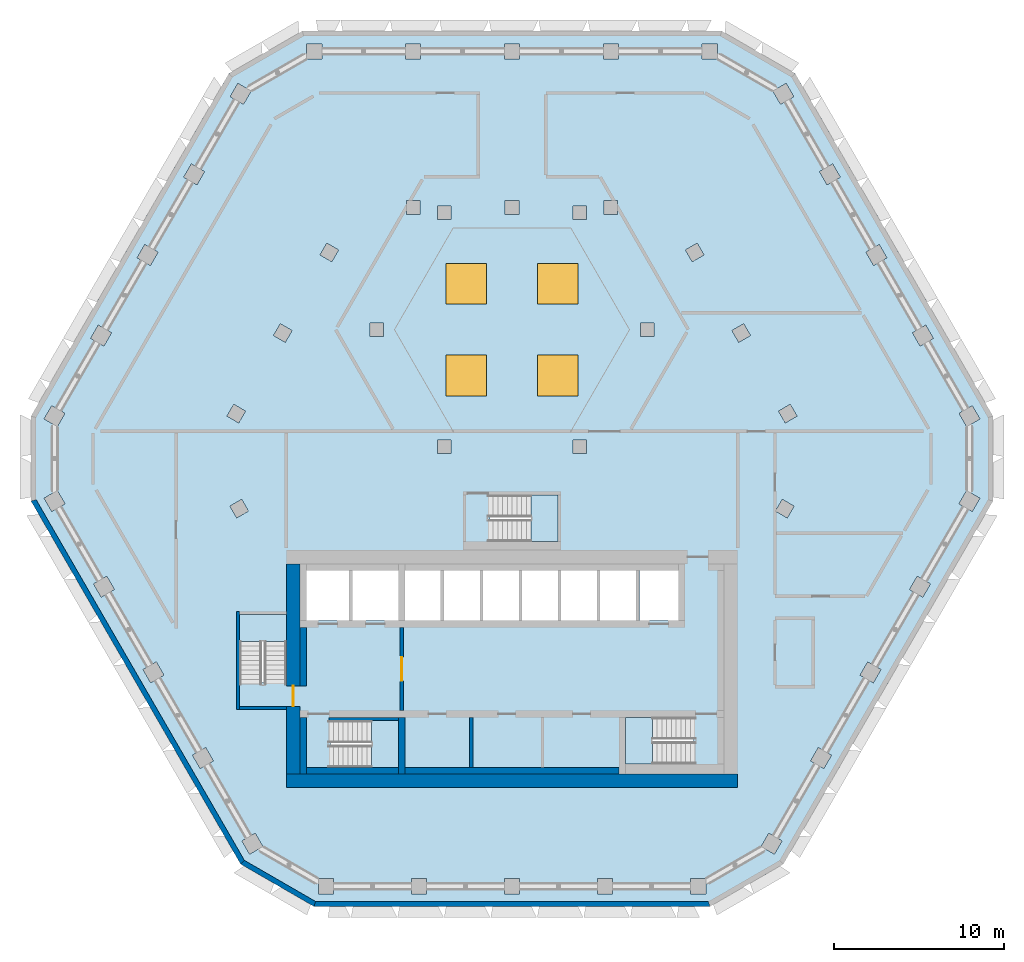
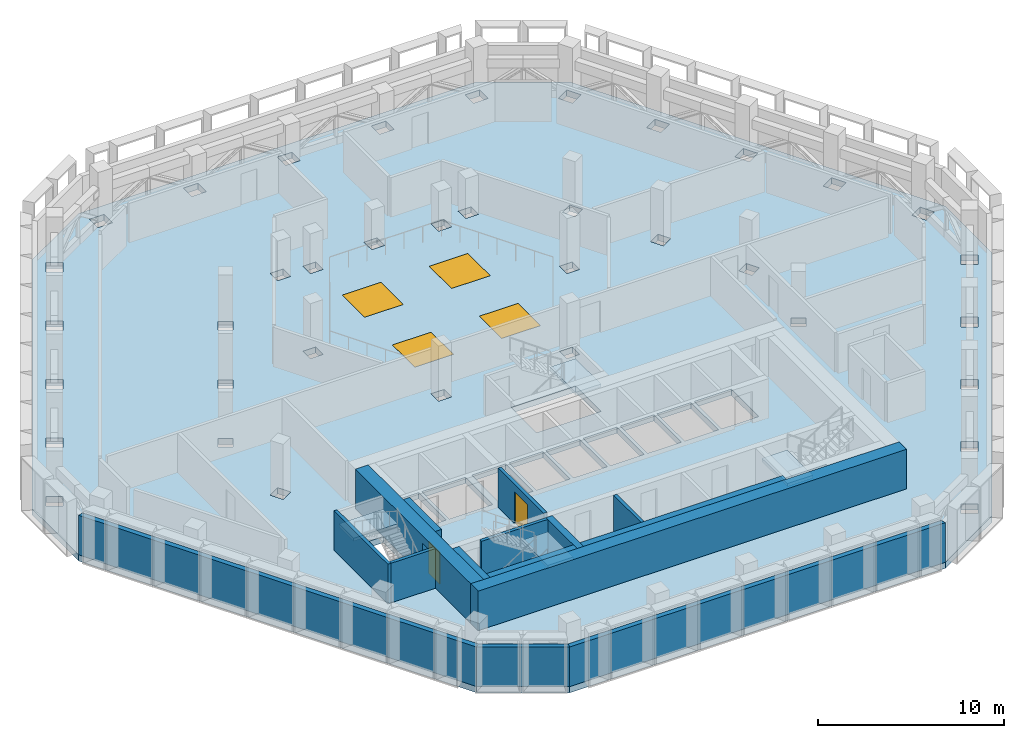
# One storey, part 11 of 22: 15 walls, 5 slabs, 4 windows, 2 doors, 6 openings, 4 elements without a shape of their own.
"""IFC4 building model written with IfcOpenShell, lengths in metres."""

import ifcopenshell
import ifcopenshell.guid

model = None  # the IFC model being written
_history = None  # IfcOwnerHistory: only IFC2X3 demands one
_inside = {}  # id of a spatial element -> (the spatial element, [elements in it])
_under = {}  # id of a project, library or spatial element -> (it, [spatial elements below it])
_declared = {}  # id of a project -> (the project, [libraries it declares])
_typed = {}  # id of a type object -> (the type object, [elements of that type])
_made_of = {}  # id of a material, layer set ... -> (it, [elements and type objects made of it])


def new_model(schema):
    """Start an empty IFC model of exactly this schema.

    Asked for "IFC4X3", IfcOpenShell would pick the latest addendum, in which some entities
    have other attributes; the version numbers below select the first issue.
    IFC2X3 requires an IfcOwnerHistory on every rooted entity: one is made here for all.
    """
    global model, _history
    if schema == "IFC4X3":
        model = ifcopenshell.file(schema_version=(4, 3, 0, 0))
    else:
        model = ifcopenshell.file(schema=schema)
    _inside.clear()
    _under.clear()
    _declared.clear()
    _typed.clear()
    _made_of.clear()
    _history = None
    if model.schema == "IFC2X3":
        org = make("IfcOrganization", Name="unknown")
        user = make(
            "IfcPersonAndOrganization",
            ThePerson=make("IfcPerson", FamilyName="unknown"),
            TheOrganization=org,
        )
        app = make(
            "IfcApplication",
            ApplicationDeveloper=org,
            Version="unknown",
            ApplicationFullName="unknown",
            ApplicationIdentifier="unknown",
        )
        _history = make(
            "IfcOwnerHistory",
            OwningUser=user,
            OwningApplication=app,
            ChangeAction="ADDED",
            CreationDate=0,
        )
    return model


def make(cls, **values):
    """One entity of the class cls with the attributes given. An attribute that is None is left unset."""
    return model.create_entity(
        cls, **{name: value for name, value in values.items() if value is not None}
    )


def rooted(cls, **values):
    """An entity with a GlobalId (a new one), such as an element, a storey or a relation."""
    return make(cls, GlobalId=ifcopenshell.guid.new(), OwnerHistory=_history, **values)


def si_unit(unit_type, name, prefix=None):
    """IfcSIUnit, for example si_unit("LENGTHUNIT", "METRE", prefix="MILLI")."""
    return make("IfcSIUnit", UnitType=unit_type, Prefix=prefix, Name=name)


def assignment(units):
    """IfcUnitAssignment: the units of a project."""
    return None if units is None else make("IfcUnitAssignment", Units=units)


def point(xyz):
    """IfcCartesianPoint."""
    return None if xyz is None else make("IfcCartesianPoint", Coordinates=xyz)


def direction(xyz):
    """IfcDirection."""
    return None if xyz is None else make("IfcDirection", DirectionRatios=xyz)


def frame(location, z_axis=None, x_axis=None):
    """IfcAxis2Placement3D, a coordinate frame: its origin and axes. An axis left out is left unset."""
    return make(
        "IfcAxis2Placement3D",
        Location=point(location),
        Axis=direction(z_axis),
        RefDirection=direction(x_axis),
    )


def frame_2d(location, x_axis=None):
    """IfcAxis2Placement2D, a coordinate frame in the plane: its origin and x axis."""
    return make(
        "IfcAxis2Placement2D", Location=point(location), RefDirection=direction(x_axis)
    )


def origin():
    """The frame at (0, 0, 0) with its axes left unset."""
    return frame((0.0, 0.0, 0.0))


def origin_2d():
    """The frame at (0, 0) in the plane with its x axis left unset."""
    return frame_2d((0.0, 0.0))


def place(relative_to, where):
    """IfcLocalPlacement: puts the frame where relative to a parent placement (None: the world)."""
    return make(
        "IfcLocalPlacement", PlacementRelTo=relative_to, RelativePlacement=where
    )


def context(
    kind, dimensions, precision=None, world=None, true_north=None, identifier=None
):
    """IfcGeometricRepresentationContext, for example the 3D "Model" context."""
    return make(
        "IfcGeometricRepresentationContext",
        ContextIdentifier=identifier,
        ContextType=kind,
        CoordinateSpaceDimension=dimensions,
        Precision=precision,
        WorldCoordinateSystem=world,
        TrueNorth=true_north,
    )


def subcontext(parent, identifier, kind, view, scale=None):
    """IfcGeometricRepresentationSubContext, for example "Body" below "Model"."""
    return make(
        "IfcGeometricRepresentationSubContext",
        ContextIdentifier=identifier,
        ContextType=kind,
        ParentContext=parent,
        TargetScale=scale,
        TargetView=view,
    )


def project(units=None, contexts=None):
    """IfcProject with its units and contexts."""
    return rooted(
        "IfcProject",
        Name="project",
        RepresentationContexts=contexts,
        UnitsInContext=assignment(units),
    )


def spatial(cls, under=None, at=None, **own):
    """A site, building, storey or space (cls), placed at a placement, below another one or the project."""
    s = rooted(cls, ObjectPlacement=at, **own)
    if under is not None:
        _under.setdefault(under.id(), (under, []))[1].append(s)
    return s


def polyline(points):
    """IfcPolyline through the points."""
    return make("IfcPolyline", Points=[point(p) for p in points])


def profile(cls, at=None, kind="AREA", **sizes):
    """A parametric profile (cls). Its sizes go by their IFC names, for example OverallWidth=200.0."""
    return make(cls, ProfileType=kind, Position=at, **sizes)


def rectangle(**sizes):
    """IfcRectangleProfileDef."""
    return profile("IfcRectangleProfileDef", **sizes)


def outline(outer, holes=None, kind="AREA"):
    """IfcArbitraryClosedProfileDef: a profile drawn as a closed curve; with holes, ...WithVoids."""
    if holes is None:
        return make("IfcArbitraryClosedProfileDef", ProfileType=kind, OuterCurve=outer)
    return make(
        "IfcArbitraryProfileDefWithVoids",
        ProfileType=kind,
        OuterCurve=outer,
        InnerCurves=holes,
    )


def extrude(swept, where, along, depth):
    """IfcExtrudedAreaSolid: the profile swept, set in the frame where, extruded along a direction by depth."""
    return make(
        "IfcExtrudedAreaSolid",
        SweptArea=swept,
        Position=where,
        ExtrudedDirection=direction(along),
        Depth=depth,
    )


def shape(context_of_items, identifier, shape_type, items):
    """IfcShapeRepresentation: the items that make up one representation, for example the "Body"."""
    return make(
        "IfcShapeRepresentation",
        ContextOfItems=context_of_items,
        RepresentationIdentifier=identifier,
        RepresentationType=shape_type,
        Items=items,
    )


def material(Name=None, Category=None):
    """IfcMaterial."""
    return make("IfcMaterial", Name=Name, Category=Category)


def layer(
    of_material, thickness, ventilated=None, Name=None, Category=None, Priority=None
):
    """IfcMaterialLayer: one layer of a wall or slab, of a material (None: an air gap)."""
    return make(
        "IfcMaterialLayer",
        Material=of_material,
        LayerThickness=thickness,
        IsVentilated=ventilated,
        Name=Name,
        Category=Category,
        Priority=Priority,
    )


def layer_set(layers, Name=None):
    """IfcMaterialLayerSet."""
    return make("IfcMaterialLayerSet", MaterialLayers=layers, LayerSetName=Name)


def made_of(thing, what):
    """Note that an element or type object is made of a material, layer set ...; save() writes the relation."""
    if what is not None:
        _made_of.setdefault(what.id(), (what, []))[1].append(thing)
    return thing


def type_object(cls, material=None, **own):
    """A type object (cls), such as IfcWallType, which elements share."""
    return made_of(rooted(cls, **own), material)


def element(
    cls,
    number,
    at=None,
    inside=None,
    cuts=None,
    type_object=None,
    material=None,
    context=None,
    identifier="Body",
    shape_type=None,
    held_by="IfcProductDefinitionShape",
    body=None,
    shapes=None,
    **own,
):
    """One element of the class cls, such as IfcWall. Its Tag is "e" and its number.

    at: its placement. inside: the storey or other place that contains it. cuts: it is an
    opening in that element (IfcRelVoidsElement). A single representation is given by context,
    identifier, shape_type and body (its items); several are given by shapes. held_by: the class
    of the entity that holds the representations. save() writes the other relations.
    """
    e = rooted(cls, Tag="e%d" % number, ObjectPlacement=at, **own)
    if body is not None:
        shapes = [shape(context, identifier, shape_type, body)]
    if shapes is not None:
        e.Representation = make(held_by, Representations=shapes)
    if inside is not None:
        _inside.setdefault(inside.id(), (inside, []))[1].append(e)
    if cuts is not None:
        rooted(
            "IfcRelVoidsElement", RelatingBuildingElement=cuts, RelatedOpeningElement=e
        )
    if type_object is not None:
        _typed.setdefault(type_object.id(), (type_object, []))[1].append(e)
    return made_of(e, material)


def fill(opening, filler):
    """IfcRelFillsElement: the door or window that sits in an opening."""
    return rooted(
        "IfcRelFillsElement",
        RelatingOpeningElement=opening,
        RelatedBuildingElement=filler,
    )


def aggregate(whole, parts):
    """IfcRelAggregates: a whole, such as a stair, and the parts it consists of."""
    return rooted("IfcRelAggregates", RelatingObject=whole, RelatedObjects=parts)


def save(model, path):
    """Write the relations noted so far, then the file.

    IfcRelAggregates (storeys below a building ...), IfcRelContainedInSpatialStructure (elements
    in a storey), IfcRelDefinesByType, IfcRelAssociatesMaterial and IfcRelDeclares: one each for
    every whole, place, type object, material and project.
    """
    for whole, parts in _under.values():
        aggregate(whole, parts)
    for where, things in _inside.values():
        rooted(
            "IfcRelContainedInSpatialStructure",
            RelatedElements=things,
            RelatingStructure=where,
        )
    for kind, things in _typed.values():
        rooted("IfcRelDefinesByType", RelatedObjects=things, RelatingType=kind)
    for what, things in _made_of.values():
        rooted("IfcRelAssociatesMaterial", RelatedObjects=things, RelatingMaterial=what)
    for by, libraries in _declared.values():
        rooted("IfcRelDeclares", RelatingContext=by, RelatedDefinitions=libraries)
    model.write(path)


model = new_model("IFC4")

# Units and contexts
model_context = context("Model", 3, precision=1e-05, world=origin(), true_north=direction((0.0, 1.0)))
body_context = subcontext(model_context, "Body", "Model", "MODEL_VIEW")
ifc_project = project(units=[si_unit("LENGTHUNIT", "METRE"), si_unit("AREAUNIT", "SQUARE_METRE"), si_unit("VOLUMEUNIT", "CUBIC_METRE"), si_unit("PLANEANGLEUNIT", "RADIAN"), si_unit("MASSUNIT", "GRAM", prefix="KILO")], contexts=[model_context])

# Site, building, storey
site_placement = place(None, origin())
site = spatial("IfcSite", under=ifc_project, at=site_placement, CompositionType="ELEMENT")
building_placement = place(site_placement, origin())
building = spatial("IfcBuilding", under=site, at=building_placement, Name="Beryl Residences", CompositionType="ELEMENT")
storey_placement = place(building_placement, frame((0.0, 0.0, 153.60009765625)))
storey = spatial("IfcBuildingStorey", under=building, at=storey_placement, Name="L47", CompositionType="ELEMENT", Elevation=153.60009765625)

# Slab, openings, windows
ifc_material_1 = material(Name="Concrete C40/50", Category="concrete")
ifc_layer_1 = layer(ifc_material_1, 0.39990234375)
ifc_layer_set_1 = layer_set([ifc_layer_1], Name="SL8 PT floor slab 400 mm C40/50")
slab_type_1 = type_object("IfcSlabType", Name="SL8 PT floor slab 400 mm C40/50", PredefinedType="FLOOR", material=ifc_layer_set_1)
slab_1_placement = place(storey_placement, frame((0.0, 0.0, -0.400146484375)))
slab_1 = element("IfcSlab", 1, at=slab_1_placement, inside=storey, type_object=slab_type_1, Name="L47 slab 1", PredefinedType="FLOOR", context=body_context, shape_type="SweptSolid", body=[
    extrude(outline(polyline([(28.347900390625, 2.89990234375), (28.347900390625, -2.10009765625), (15.991943359375, -23.5), (11.662109375, -26.0), (-11.662109375, -26.0), (-15.991943359375, -23.5), (-28.347900390625, -2.10009765625), (-28.347900390625, 2.89990234375), (-16.68505859375, 23.10009765625), (-12.35498046875, 25.60009765625), (12.35498046875, 25.60009765625), (16.68505859375, 23.10009765625), (28.347900390625, 2.89990234375)]), holes=[polyline([(27.577880859375, 2.735107421875), (27.1279296875, 3.514892578125), (26.347900390625, 3.06494140625), (26.798095703125, 2.284912109375), (27.577880859375, 2.735107421875)]), polyline([(27.575927734375, -1.93603515625), (26.7958984375, -1.486083984375), (26.345947265625, -2.26611328125), (27.1259765625, -2.716064453125), (27.575927734375, -1.93603515625)]), polyline([(24.385009765625, 8.264892578125), (23.60498046875, 7.81494140625), (24.054931640625, 7.034912109375), (24.8349609375, 7.485107421875), (24.385009765625, 8.264892578125)]), polyline([(24.2109375, -7.76611328125), (24.660888671875, -6.986083984375), (23.881103515625, -6.535888671875), (23.430908203125, -7.31591796875), (24.2109375, -7.76611328125)]), polyline([(22.093017578125, 12.235107421875), (21.64306640625, 13.014892578125), (20.863037109375, 12.56494140625), (21.31298828125, 11.784912109375), (22.093017578125, 12.235107421875)]), polyline([(21.7451171875, -12.035888671875), (20.965087890625, -11.5859375), (20.514892578125, -12.365966796875), (21.294921875, -12.81591796875), (21.7451171875, -12.035888671875)]), polyline([(18.89990234375, 17.764892578125), (18.1201171875, 17.31494140625), (18.570068359375, 16.534912109375), (19.35009765625, 16.985107421875), (18.89990234375, 17.764892578125)]), polyline([(18.3798828125, -17.865966796875), (18.830078125, -17.0859375), (18.050048828125, -16.635986328125), (17.60009765625, -17.416015625), (18.3798828125, -17.865966796875)]), polyline([(16.799072265625, 2.904052734375), (16.39892578125, 3.595947265625), (15.70703125, 3.196044921875), (16.10693359375, 2.50390625), (16.799072265625, 2.904052734375)]), polyline([(16.22412109375, -3.096923828125), (16.6240234375, -2.405029296875), (15.931884765625, -2.0048828125), (15.531982421875, -2.697021484375), (16.22412109375, -3.096923828125)]), polyline([(16.60791015625, 21.735107421875), (16.157958984375, 22.514892578125), (15.3779296875, 22.06494140625), (15.827880859375, 21.284912109375), (16.60791015625, 21.735107421875)]), polyline([(15.464111328125, -22.9150390625), (15.9140625, -22.135009765625), (15.134033203125, -21.68505859375), (14.68408203125, -22.465087890625), (15.464111328125, -22.9150390625)]), polyline([(14.055908203125, 7.654052734375), (13.656005859375, 8.345947265625), (12.964111328125, 7.946044921875), (13.364013671875, 7.25390625), (14.055908203125, 7.654052734375)]), polyline([(12.112060546875, 24.85009765625), (11.2119140625, 24.85009765625), (11.2119140625, 23.949951171875), (12.112060546875, 23.949951171875), (12.112060546875, 24.85009765625)]), polyline([(11.4208984375, -25.25), (11.4208984375, -24.35009765625), (10.52099609375, -24.35009765625), (10.52099609375, -25.25), (11.4208984375, -25.25)]), polyline([(10.9140625, 13.095947265625), (10.221923828125, 12.696044921875), (10.6220703125, 12.00390625), (11.31396484375, 12.404052734375), (10.9140625, 13.095947265625)]), polyline([(10.699951171875, -14.85009765625), (6.699951171875, -14.85009765625), (6.699951171875, -17.60009765625), (10.699951171875, -17.60009765625), (10.699951171875, -14.85009765625)]), polyline([(7.5, -6.199951171875), (7.5, -9.14990234375), (9.800048828125, -9.14990234375), (9.800048828125, -6.199951171875), (7.5, -6.199951171875)]), polyline([(7.56689453125, 7.60009765625), (8.366943359375, 7.60009765625), (8.366943359375, 8.39990234375), (7.56689453125, 8.39990234375), (7.56689453125, 7.60009765625)]), polyline([(5.199951171875, -9.14990234375), (7.300048828125, -9.14990234375), (7.300048828125, -6.199951171875), (5.199951171875, -6.199951171875), (5.199951171875, -9.14990234375)]), polyline([(6.281005859375, 24.85009765625), (5.381103515625, 24.85009765625), (5.381103515625, 23.949951171875), (6.281005859375, 23.949951171875), (6.281005859375, 24.85009765625)]), polyline([(6.23095703125, 15.60009765625), (5.430908203125, 15.60009765625), (5.430908203125, 14.800048828125), (6.23095703125, 14.800048828125), (6.23095703125, 15.60009765625)]), polyline([(5.035888671875, -25.25), (5.93603515625, -25.25), (5.93603515625, -24.35009765625), (5.035888671875, -24.35009765625), (5.035888671875, -25.25)]), polyline([(2.89990234375, -6.199951171875), (2.89990234375, -9.14990234375), (5.0, -9.14990234375), (5.0, -6.199951171875), (2.89990234375, -6.199951171875)]), polyline([(4.384033203125, 1.5), (3.583984375, 1.5), (3.583984375, 0.699951171875), (4.384033203125, 0.699951171875), (4.384033203125, 1.5)]), polyline([(3.583984375, 14.5), (4.384033203125, 14.5), (4.384033203125, 15.300048828125), (3.583984375, 15.300048828125), (3.583984375, 14.5)]), polyline([(-1.300048828125, -4.5), (2.699951171875, -4.5), (2.699951171875, -1.75), (-1.300048828125, -1.75), (-1.300048828125, -4.5)]), polyline([(0.60009765625, -6.199951171875), (0.60009765625, -9.14990234375), (2.699951171875, -9.14990234375), (2.699951171875, -6.199951171875), (0.60009765625, -6.199951171875)]), polyline([(0.450927734375, -25.25), (0.450927734375, -24.35009765625), (-0.448974609375, -24.35009765625), (-0.448974609375, -25.25), (0.450927734375, -25.25)]), polyline([(0.449951171875, 24.85009765625), (-0.449951171875, 24.85009765625), (-0.449951171875, 23.949951171875), (0.449951171875, 23.949951171875), (0.449951171875, 24.85009765625)]), polyline([(0.39990234375, 15.60009765625), (-0.39990234375, 15.60009765625), (-0.39990234375, 14.800048828125), (0.39990234375, 14.800048828125), (0.39990234375, 15.60009765625)]), polyline([(0.39990234375, -9.14990234375), (0.39990234375, -6.199951171875), (-1.699951171875, -6.199951171875), (-1.699951171875, -9.14990234375), (0.39990234375, -9.14990234375)]), polyline([(-4.0, -6.199951171875), (-4.0, -9.14990234375), (-1.89990234375, -9.14990234375), (-1.89990234375, -6.199951171875), (-4.0, -6.199951171875)]), polyline([(-4.384033203125, 14.5), (-3.583984375, 14.5), (-3.583984375, 15.300048828125), (-4.384033203125, 15.300048828125), (-4.384033203125, 14.5)]), polyline([(-4.384033203125, 0.699951171875), (-3.583984375, 0.699951171875), (-3.583984375, 1.5), (-4.384033203125, 1.5), (-4.384033203125, 0.699951171875)]), polyline([(-6.300048828125, -6.199951171875), (-6.300048828125, -9.14990234375), (-4.199951171875, -9.14990234375), (-4.199951171875, -6.199951171875), (-6.300048828125, -6.199951171875)]), polyline([(-5.93408203125, -25.25), (-5.033935546875, -25.25), (-5.033935546875, -24.35009765625), (-5.93408203125, -24.35009765625), (-5.93408203125, -25.25)]), polyline([(-6.281005859375, 24.85009765625), (-6.281005859375, 23.949951171875), (-5.381103515625, 23.949951171875), (-5.381103515625, 24.85009765625), (-6.281005859375, 24.85009765625)]), polyline([(-6.23095703125, 15.60009765625), (-6.23095703125, 14.800048828125), (-5.430908203125, 14.800048828125), (-5.430908203125, 15.60009765625), (-6.23095703125, 15.60009765625)]), polyline([(-6.699951171875, -9.14990234375), (-6.699951171875, -6.199951171875), (-9.39990234375, -6.199951171875), (-9.39990234375, -9.14990234375), (-6.699951171875, -9.14990234375)]), polyline([(-6.699951171875, -15.050048828125), (-10.699951171875, -15.050048828125), (-10.699951171875, -17.800048828125), (-6.699951171875, -17.800048828125), (-6.699951171875, -15.050048828125)]), polyline([(-8.366943359375, 7.60009765625), (-7.56689453125, 7.60009765625), (-7.56689453125, 8.39990234375), (-8.366943359375, 8.39990234375), (-8.366943359375, 7.60009765625)]), polyline([(-12.10009765625, -6.199951171875), (-12.10009765625, -9.14990234375), (-9.60009765625, -9.14990234375), (-9.60009765625, -6.199951171875), (-12.10009765625, -6.199951171875)]), polyline([(-10.9140625, 13.095947265625), (-11.31396484375, 12.404052734375), (-10.6220703125, 12.00390625), (-10.221923828125, 12.696044921875), (-10.9140625, 13.095947265625)]), polyline([(-10.51904296875, -24.35009765625), (-11.4189453125, -24.35009765625), (-11.4189453125, -25.25), (-10.51904296875, -25.25), (-10.51904296875, -24.35009765625)]), polyline([(-11.2119140625, 24.85009765625), (-12.112060546875, 24.85009765625), (-12.112060546875, 23.949951171875), (-11.2119140625, 23.949951171875), (-11.2119140625, 24.85009765625)]), polyline([(-13.656005859375, 8.345947265625), (-14.055908203125, 7.654052734375), (-13.364013671875, 7.25390625), (-12.964111328125, 7.946044921875), (-13.656005859375, 8.345947265625)]), polyline([(-13.300048828125, -12.800048828125), (-13.300048828125, -8.800048828125), (-16.050048828125, -8.800048828125), (-16.050048828125, -12.800048828125), (-13.300048828125, -12.800048828125)]), polyline([(-15.465087890625, -22.9140625), (-14.68505859375, -22.464111328125), (-15.135009765625, -21.68408203125), (-15.9150390625, -22.134033203125), (-15.465087890625, -22.9140625)]), polyline([(-16.60791015625, 21.735107421875), (-15.827880859375, 21.284912109375), (-15.3779296875, 22.06494140625), (-16.157958984375, 22.514892578125), (-16.60791015625, 21.735107421875)]), polyline([(-16.22509765625, -3.094970703125), (-15.532958984375, -2.695068359375), (-15.93310546875, -2.0029296875), (-16.625, -2.403076171875), (-16.22509765625, -3.094970703125)]), polyline([(-16.799072265625, 2.904052734375), (-16.10693359375, 2.50390625), (-15.70703125, 3.196044921875), (-16.39892578125, 3.595947265625), (-16.799072265625, 2.904052734375)]), polyline([(-18.381103515625, -17.864013671875), (-17.60107421875, -17.4140625), (-18.051025390625, -16.634033203125), (-18.8310546875, -17.083984375), (-18.381103515625, -17.864013671875)]), polyline([(-18.89990234375, 17.764892578125), (-19.35009765625, 16.985107421875), (-18.570068359375, 16.534912109375), (-18.1201171875, 17.31494140625), (-18.89990234375, 17.764892578125)]), polyline([(-21.74609375, -12.033935546875), (-21.2958984375, -12.81396484375), (-20.51611328125, -12.364013671875), (-20.966064453125, -11.583984375), (-21.74609375, -12.033935546875)]), polyline([(-21.31298828125, 11.784912109375), (-20.863037109375, 12.56494140625), (-21.64306640625, 13.014892578125), (-22.093017578125, 12.235107421875), (-21.31298828125, 11.784912109375)]), polyline([(-24.662109375, -6.98388671875), (-24.2119140625, -7.763916015625), (-23.431884765625, -7.31396484375), (-23.882080078125, -6.533935546875), (-24.662109375, -6.98388671875)]), polyline([(-24.385009765625, 8.264892578125), (-24.8349609375, 7.485107421875), (-24.054931640625, 7.034912109375), (-23.60498046875, 7.81494140625), (-24.385009765625, 8.264892578125)]), polyline([(-27.576904296875, -1.93505859375), (-27.126953125, -2.715087890625), (-26.346923828125, -2.264892578125), (-26.797119140625, -1.485107421875), (-27.576904296875, -1.93505859375)]), polyline([(-27.1279296875, 3.514892578125), (-27.577880859375, 2.735107421875), (-26.798095703125, 2.284912109375), (-26.347900390625, 3.06494140625), (-27.1279296875, 3.514892578125)])]), origin(), (0.0, 0.0, 1.0), 0.400146484375),
])
opening_1_placement = place(slab_1_placement, frame((-2.699951171875, 5.300048828125, 0.0)))
opening_1 = element("IfcOpeningElement", 2, at=opening_1_placement, cuts=slab_1, Name="Opening SK1", PredefinedType="OPENING", context=body_context, shape_type="SweptSolid", body=[
    extrude(rectangle(XDim=2.39990234375, YDim=2.39990234375, at=origin_2d()), origin(), (0.0, 0.0, 1.0), 0.400146484375),
])
opening_2_placement = place(slab_1_placement, frame((-2.699951171875, 10.699951171875, 0.0)))
opening_2 = element("IfcOpeningElement", 3, at=opening_2_placement, cuts=slab_1, Name="Opening SK1", PredefinedType="OPENING", context=body_context, shape_type="SweptSolid", body=[
    extrude(rectangle(XDim=2.39990234375, YDim=2.39990234375, at=origin_2d()), origin(), (0.0, 0.0, 1.0), 0.400146484375),
])
opening_3_placement = place(slab_1_placement, frame((2.699951171875, 5.300048828125, 0.0)))
opening_3 = element("IfcOpeningElement", 4, at=opening_3_placement, cuts=slab_1, Name="Opening SK1", PredefinedType="OPENING", context=body_context, shape_type="SweptSolid", body=[
    extrude(rectangle(XDim=2.39990234375, YDim=2.39990234375, at=origin_2d()), origin(), (0.0, 0.0, 1.0), 0.400146484375),
])
opening_4_placement = place(slab_1_placement, frame((2.699951171875, 10.699951171875, 0.0)))
opening_4 = element("IfcOpeningElement", 5, at=opening_4_placement, cuts=slab_1, Name="Opening SK1", PredefinedType="OPENING", context=body_context, shape_type="SweptSolid", body=[
    extrude(rectangle(XDim=2.39990234375, YDim=2.39990234375, at=origin_2d()), origin(), (0.0, 0.0, 1.0), 0.400146484375),
])
ifc_material_2 = material(Name="Fire-resisting laminated glass in aluminium frame", Category="aluminium")
window_type = type_object("IfcWindowType", Name="SK1 atrium rooflight 2400 x 2400 mm", PartitioningType="SINGLE_PANEL", PredefinedType="SKYLIGHT", material=ifc_material_2)
window_1_placement = place(opening_1_placement, frame((0.0, 0.0, 0.35009765625)))
window_1 = element("IfcWindow", 6, at=window_1_placement, inside=storey, type_object=window_type, Name="SK1 atrium rooflight L47 1", OverallHeight=2.39990234375, OverallWidth=2.39990234375, PartitioningType="SINGLE_PANEL", PredefinedType="SKYLIGHT", context=body_context, shape_type="SweptSolid", body=[
    extrude(rectangle(XDim=2.39990234375, YDim=2.39990234375, at=origin_2d()), origin(), (0.0, 0.0, 1.0), 0.050048828125),
])
fill(opening_1, window_1)
window_2_placement = place(opening_2_placement, frame((0.0, 0.0, 0.35009765625)))
window_2 = element("IfcWindow", 7, at=window_2_placement, inside=storey, type_object=window_type, Name="SK1 atrium rooflight L47 2", OverallHeight=2.39990234375, OverallWidth=2.39990234375, PartitioningType="SINGLE_PANEL", PredefinedType="SKYLIGHT", context=body_context, shape_type="SweptSolid", body=[
    extrude(rectangle(XDim=2.39990234375, YDim=2.39990234375, at=origin_2d()), origin(), (0.0, 0.0, 1.0), 0.050048828125),
])
fill(opening_2, window_2)
window_3_placement = place(opening_3_placement, frame((0.0, 0.0, 0.35009765625)))
window_3 = element("IfcWindow", 8, at=window_3_placement, inside=storey, type_object=window_type, Name="SK1 atrium rooflight L47 3", OverallHeight=2.39990234375, OverallWidth=2.39990234375, PartitioningType="SINGLE_PANEL", PredefinedType="SKYLIGHT", context=body_context, shape_type="SweptSolid", body=[
    extrude(rectangle(XDim=2.39990234375, YDim=2.39990234375, at=origin_2d()), origin(), (0.0, 0.0, 1.0), 0.050048828125),
])
fill(opening_3, window_3)
window_4_placement = place(opening_4_placement, frame((0.0, 0.0, 0.35009765625)))
window_4 = element("IfcWindow", 9, at=window_4_placement, inside=storey, type_object=window_type, Name="SK1 atrium rooflight L47 4", OverallHeight=2.39990234375, OverallWidth=2.39990234375, PartitioningType="SINGLE_PANEL", PredefinedType="SKYLIGHT", context=body_context, shape_type="SweptSolid", body=[
    extrude(rectangle(XDim=2.39990234375, YDim=2.39990234375, at=origin_2d()), origin(), (0.0, 0.0, 1.0), 0.050048828125),
])
fill(opening_4, window_4)

# Stair, slab
ifc_material_3 = material(Name="Concrete C40/50", Category="concrete")
stair_type = type_object("IfcStairType", Name="ST1 protected exit stair, half-turn, 1300 mm flights", PredefinedType="HALF_TURN_STAIR", material=ifc_material_3)
stair_1_placement = place(storey_placement, origin())
stair_1 = element("IfcStair", 10, at=stair_1_placement, inside=storey, type_object=stair_type, Name="L47 PROTECTED EXIT STAIR ST-1", PredefinedType="HALF_TURN_STAIR")
ifc_material_4 = material(Name="Concrete C40/50", Category="concrete")
ifc_layer_2 = layer(ifc_material_4, 0.199951171875)
ifc_layer_set_2 = layer_set([ifc_layer_2], Name="SLD1 stair landing 200 mm")
slab_type_2 = type_object("IfcSlabType", Name="SLD1 stair landing 200 mm", PredefinedType="LANDING", material=ifc_layer_set_2)
slab_2_placement = place(storey_placement, frame((0.0, 0.0, 1.599853515625)))
slab_2 = element("IfcSlab", 11, at=slab_2_placement, type_object=slab_type_2, Name="ST-1 landing 1", PredefinedType="LANDING", context=body_context, shape_type="SweptSolid", body=[
    extrude(outline(polyline([(-8.280029296875, -17.800048828125), (-6.699951171875, -17.800048828125), (-6.699951171875, -15.050048828125), (-8.280029296875, -15.050048828125), (-8.280029296875, -17.800048828125)])), origin(), (0.0, 0.0, 1.0), 0.199951171875),
])
aggregate(stair_1, [slab_2])

stair_2_placement = place(storey_placement, origin())
stair_2 = element("IfcStair", 12, at=stair_2_placement, inside=storey, type_object=stair_type, Name="L47 PROTECTED EXIT STAIR ST-2", PredefinedType="HALF_TURN_STAIR")
slab_3_placement = place(storey_placement, frame((0.0, 0.0, 1.599853515625)))
slab_3 = element("IfcSlab", 13, at=slab_3_placement, type_object=slab_type_2, Name="ST-2 landing 1", PredefinedType="LANDING", context=body_context, shape_type="SweptSolid", body=[
    extrude(outline(polyline([(-13.300048828125, -10.3798828125), (-13.300048828125, -8.800048828125), (-16.050048828125, -8.800048828125), (-16.050048828125, -10.3798828125), (-13.300048828125, -10.3798828125)])), origin(), (0.0, 0.0, 1.0), 0.199951171875),
])
aggregate(stair_2, [slab_3])

stair_3_placement = place(storey_placement, origin())
stair_3 = element("IfcStair", 14, at=stair_3_placement, inside=storey, type_object=stair_type, Name="L47 PROTECTED EXIT STAIR ST-3", PredefinedType="HALF_TURN_STAIR")
slab_4_placement = place(storey_placement, frame((0.0, 0.0, 1.599853515625)))
slab_4 = element("IfcSlab", 15, at=slab_4_placement, type_object=slab_type_2, Name="ST-3 landing 1", PredefinedType="LANDING", context=body_context, shape_type="SweptSolid", body=[
    extrude(outline(polyline([(8.280029296875, -14.85009765625), (6.699951171875, -14.85009765625), (6.699951171875, -17.60009765625), (8.280029296875, -17.60009765625), (8.280029296875, -14.85009765625)])), origin(), (0.0, 0.0, 1.0), 0.199951171875),
])
aggregate(stair_3, [slab_4])

stair_4_placement = place(storey_placement, origin())
stair_4 = element("IfcStair", 16, at=stair_4_placement, inside=storey, type_object=stair_type, Name="L47 PROTECTED EXIT STAIR ST-4", PredefinedType="HALF_TURN_STAIR")
slab_5_placement = place(storey_placement, frame((0.0, 0.0, 1.599853515625)))
slab_5 = element("IfcSlab", 17, at=slab_5_placement, type_object=slab_type_2, Name="ST-4 landing 1", PredefinedType="LANDING", context=body_context, shape_type="SweptSolid", body=[
    extrude(outline(polyline([(1.1201171875, -4.5), (2.699951171875, -4.5), (2.699951171875, -1.75), (1.1201171875, -1.75), (1.1201171875, -4.5)])), origin(), (0.0, 0.0, 1.0), 0.199951171875),
])
aggregate(stair_4, [slab_5])

# Walls
ifc_material_5 = material(Name="Composite metal panel with mineral wool insulation")
ifc_layer_3 = layer(ifc_material_5, 0.300048828125)
ifc_layer_set_3 = layer_set([ifc_layer_3], Name="ES1 pale metal composite panel wall 300 mm")
wall_type_1 = type_object("IfcWallType", Name="ES1 pale metal composite panel wall 300 mm", PredefinedType="SOLIDWALL", material=ifc_layer_set_3)
wall_1_placement = place(storey_placement, frame((-28.218017578125, -2.02490234375, 0.0), z_axis=(0.0, 0.0, 1.0), x_axis=(0.500017503135, -0.866015298109, 0.0)))
element("IfcWall", 18, at=wall_1_placement, inside=storey, type_object=wall_type_1, Name="ES1 external wall L47 SW", PredefinedType="SOLIDWALL", context=body_context, shape_type="SweptSolid", body=[
    extrude(outline(polyline([(0.0, -0.14990234375), (24.7109375, -0.14990234375), (24.630615234375, 0.14990234375), (0.080322265625, 0.14990234375), (0.0, -0.14990234375)])), origin(), (0.0, 0.0, 1.0), 2.599853515625),
])
wall_2_placement = place(storey_placement, frame((-15.9169921875, -23.3701171875, 0.0), z_axis=(0.0, 0.0, 1.0), x_axis=(0.866022959057, -0.500004234368, 0.0)))
element("IfcWall", 19, at=wall_2_placement, inside=storey, type_object=wall_type_1, Name="ES1 external wall L47 SW-S", PredefinedType="SOLIDWALL", context=body_context, shape_type="SweptSolid", body=[
    extrude(outline(polyline([(0.0, -0.14990234375), (5.0, -0.14990234375), (4.919677734375, 0.14990234375), (0.080322265625, 0.14990234375), (0.0, -0.14990234375)])), origin(), (0.0, 0.0, 1.0), 2.599853515625),
])
wall_3_placement = place(storey_placement, frame((-11.662109375, -25.85009765625, 0.0), z_axis=(0.0, 0.0, 1.0), x_axis=(1.0, 0.0, 0.0)))
element("IfcWall", 20, at=wall_3_placement, inside=storey, type_object=wall_type_1, Name="ES1 external wall L47 S", PredefinedType="SOLIDWALL", context=body_context, shape_type="SweptSolid", body=[
    extrude(outline(polyline([(0.0, -0.14990234375), (23.32421875, -0.14990234375), (23.243896484375, 0.14990234375), (0.080322265625, 0.14990234375), (0.0, -0.14990234375)])), origin(), (0.0, 0.0, 1.0), 2.599853515625),
])

# Wall, opening, door
ifc_material_6 = material(Name="Concrete masonry", Category="masonry")
ifc_layer_4 = layer(ifc_material_6, 0.199951171875)
ifc_layer_set_4 = layer_set([ifc_layer_4], Name="PT13 lobby wall 200 mm")
wall_type_2 = type_object("IfcWallType", Name="PT13 lobby wall 200 mm", PredefinedType="PARTITIONING", material=ifc_layer_set_4)
wall_4_placement = place(storey_placement, frame((-6.5, -14.449951171875, 0.0), z_axis=(0.0, 0.0, 1.0), x_axis=(0.0, 1.0, 0.0)))
wall_4 = element("IfcWall", 21, at=wall_4_placement, inside=storey, type_object=wall_type_2, Name="Lobby wall 11", PredefinedType="PARTITIONING", context=body_context, shape_type="SweptSolid", body=[
    extrude(rectangle(XDim=4.89990234375, YDim=0.199951171875, at=frame_2d((2.449951171875, 0.0))), origin(), (0.0, 0.0, 1.0), 2.599853515625),
])
opening_5_placement = place(wall_4_placement, frame((3.14990234375, 0.0, 0.0), z_axis=(0.0, 0.0, 1.0), x_axis=(-1.0, 0.0, 0.0)))
opening_5 = element("IfcOpeningElement", 22, at=opening_5_placement, cuts=wall_4, Name="Opening FD-FFL", PredefinedType="OPENING", context=body_context, shape_type="SweptSolid", body=[
    extrude(rectangle(XDim=1.39990234375, YDim=2.10009765625, at=frame_2d((0.699951171875, 1.050048828125))), frame((0.0, 0.10986328125, 0.0), z_axis=(0.0, -1.0, 0.0), x_axis=(1.0, 0.0, 0.0)), (0.0, 0.0, 1.0), 0.219970703125),
])
ifc_material_7 = material(Name="Steel door leaf in steel frame", Category="steel")
door_type_1 = type_object("IfcDoorType", Name="D5 lobby door 1400 x 2100 mm", OperationType="DOUBLE_DOOR_SINGLE_SWING", PredefinedType="DOOR", material=ifc_material_7)
door_1_placement = place(opening_5_placement, origin())
door_1 = element("IfcDoor", 23, at=door_1_placement, inside=storey, type_object=door_type_1, Name="Door FD-FFL L47 001", OperationType="DOUBLE_DOOR_SINGLE_SWING", OverallHeight=2.10009765625, OverallWidth=1.39990234375, PredefinedType="DOOR", context=body_context, shape_type="SweptSolid", body=[
    extrude(rectangle(XDim=1.39990234375, YDim=2.10009765625, at=frame_2d((0.699951171875, 1.050048828125))), frame((0.0, 0.02490234375, 0.0), z_axis=(0.0, -1.0, 0.0), x_axis=(1.0, 0.0, 0.0)), (0.0, 0.0, 1.0), 0.050048828125),
])
fill(opening_5, door_1)

# Walls
ifc_material_8 = material(Name="Concrete masonry", Category="masonry")
ifc_layer_5 = layer(ifc_material_8, 0.39990234375)
ifc_layer_set_5 = layer_set([ifc_layer_5], Name="PT13-400 lobby wall 400 mm")
wall_type_3 = type_object("IfcWallType", Name="PT13-400 lobby wall 400 mm", PredefinedType="PARTITIONING", material=ifc_layer_set_5)
wall_5_placement = place(storey_placement, frame((-12.300048828125, -13.0, 0.0), z_axis=(0.0, 0.0, 1.0), x_axis=(0.0, 1.0, 0.0)))
element("IfcWall", 24, at=wall_5_placement, inside=storey, type_object=wall_type_3, Name="Lobby wall 05", PredefinedType="PARTITIONING", context=body_context, shape_type="SweptSolid", body=[
    extrude(rectangle(XDim=3.449951171875, YDim=0.39990234375, at=frame_2d((1.72509765625, 0.0))), origin(), (0.0, 0.0, 1.0), 2.599853515625),
])
ifc_material_9 = material(Name="Concrete C40/50", Category="concrete")
ifc_layer_6 = layer(ifc_material_9, 0.199951171875)
ifc_layer_set_6 = layer_set([ifc_layer_6], Name="PT5 stair enclosure wall 200 mm reinforced concrete C40/50")
wall_type_4 = type_object("IfcWallType", Name="PT5 stair enclosure wall 200 mm reinforced concrete C40/50", PredefinedType="SOLIDWALL", material=ifc_layer_set_6)
wall_6_placement = place(storey_placement, frame((-16.14990234375, -14.39990234375, 0.0), z_axis=(0.0, 0.0, 1.0), x_axis=(0.0, 1.0, 0.0)))
element("IfcWall", 25, at=wall_6_placement, inside=storey, type_object=wall_type_4, Name="Stair wall 01", PredefinedType="SOLIDWALL", context=body_context, shape_type="SweptSolid", body=[
    extrude(rectangle(XDim=5.7998046875, YDim=0.199951171875, at=frame_2d((2.89990234375, 0.0))), origin(), (0.0, 0.0, 1.0), 2.599853515625),
])
wall_7_placement = place(storey_placement, frame((-16.050048828125, -14.300048828125, 0.0), z_axis=(0.0, 0.0, 1.0), x_axis=(1.0, 0.0, 0.0)))
element("IfcWall", 26, at=wall_7_placement, inside=storey, type_object=wall_type_4, Name="Stair wall 02", PredefinedType="SOLIDWALL", context=body_context, shape_type="SweptSolid", body=[
    extrude(rectangle(XDim=2.75, YDim=0.199951171875, at=frame_2d((1.375, 0.0))), origin(), (0.0, 0.0, 1.0), 2.599853515625),
])
wall_8_placement = place(storey_placement, frame((-10.800048828125, -14.949951171875, 0.0), z_axis=(0.0, 0.0, 1.0), x_axis=(1.0, 0.0, 0.0)))
element("IfcWall", 27, at=wall_8_placement, inside=storey, type_object=wall_type_4, Name="Stair wall 09", PredefinedType="SOLIDWALL", context=body_context, shape_type="SweptSolid", body=[
    extrude(rectangle(XDim=4.10009765625, YDim=0.199951171875, at=frame_2d((2.050048828125, 0.0))), origin(), (0.0, 0.0, 1.0), 2.599853515625),
])
ifc_material_10 = material(Name="Concrete C40/50", Category="concrete")
ifc_layer_7 = layer(ifc_material_10, 0.39990234375)
ifc_layer_set_7 = layer_set([ifc_layer_7], Name="PT5-400 stair enclosure wall 400 mm")
wall_type_5 = type_object("IfcWallType", Name="PT5-400 stair enclosure wall 400 mm", PredefinedType="SOLIDWALL", material=ifc_layer_set_7)
wall_9_placement = place(storey_placement, frame((-12.300048828125, -18.199951171875, 0.0), z_axis=(0.0, 0.0, 1.0), x_axis=(0.0, 1.0, 0.0)))
element("IfcWall", 28, at=wall_9_placement, inside=storey, type_object=wall_type_5, Name="Stair wall 04", PredefinedType="SOLIDWALL", context=body_context, shape_type="SweptSolid", body=[
    extrude(rectangle(XDim=3.349853515625, YDim=0.39990234375, at=frame_2d((1.6748046875, 0.0))), origin(), (0.0, 0.0, 1.0), 2.599853515625),
])
wall_10_placement = place(storey_placement, frame((-12.10009765625, -18.0, 0.0), z_axis=(0.0, 0.0, 1.0), x_axis=(1.0, 0.0, 0.0)))
element("IfcWall", 29, at=wall_10_placement, inside=storey, type_object=wall_type_5, Name="Stair wall 07", PredefinedType="SOLIDWALL", context=body_context, shape_type="SweptSolid", body=[
    extrude(rectangle(XDim=5.400146484375, YDim=0.39990234375, at=frame_2d((2.7001953125, 0.0))), origin(), (0.0, 0.0, 1.0), 2.599853515625),
])
ifc_material_11 = material(Name="Concrete masonry", Category="masonry")
ifc_layer_8 = layer(ifc_material_11, 0.199951171875)
ifc_layer_set_8 = layer_set([ifc_layer_8], Name="PT8-200 service room wall 200 mm")
wall_type_6 = type_object("IfcWallType", Name="PT8-200 service room wall 200 mm", PredefinedType="PARTITIONING", material=ifc_layer_set_8)
wall_11_placement = place(storey_placement, frame((-2.39990234375, -17.800048828125, 0.0), z_axis=(0.0, 0.0, 1.0), x_axis=(0.0, 1.0, 0.0)))
element("IfcWall", 30, at=wall_11_placement, inside=storey, type_object=wall_type_6, Name="Core room wall 15", PredefinedType="PARTITIONING", context=body_context, shape_type="SweptSolid", body=[
    extrude(rectangle(XDim=2.949951171875, YDim=0.199951171875, at=frame_2d((1.47509765625, 0.0))), origin(), (0.0, 0.0, 1.0), 2.599853515625),
])
ifc_material_12 = material(Name="Concrete masonry", Category="masonry")
ifc_layer_9 = layer(ifc_material_12, 0.39990234375)
ifc_layer_set_9 = layer_set([ifc_layer_9], Name="PT8-400 service room wall 400 mm")
wall_type_7 = type_object("IfcWallType", Name="PT8-400 service room wall 400 mm", PredefinedType="PARTITIONING", material=ifc_layer_set_9)
wall_12_placement = place(storey_placement, frame((-6.300048828125, -18.0, 0.0), z_axis=(0.0, 0.0, 1.0), x_axis=(1.0, 0.0, 0.0)))
element("IfcWall", 31, at=wall_12_placement, inside=storey, type_object=wall_type_7, Name="Core room wall 12", PredefinedType="PARTITIONING", context=body_context, shape_type="SweptSolid", body=[
    extrude(rectangle(XDim=12.60009765625, YDim=0.39990234375, at=frame_2d((6.300048828125, 0.0))), origin(), (0.0, 0.0, 1.0), 2.599853515625),
])
ifc_material_13 = material(Name="Concrete C60/75", Category="concrete")
ifc_layer_10 = layer(ifc_material_13, 0.800048828125)
ifc_layer_set_10 = layer_set([ifc_layer_10], Name="SW3 core outer wall 800 mm C60/75")
wall_type_8 = type_object("IfcWallType", Name="SW3 core outer wall 800 mm C60/75", PredefinedType="SHEAR", material=ifc_layer_set_10)
wall_13_placement = place(storey_placement, frame((-13.300048828125, -18.60009765625, 0.0), z_axis=(0.0, 0.0, 1.0), x_axis=(1.0, 0.0, 0.0)))
element("IfcWall", 32, at=wall_13_placement, inside=storey, type_object=wall_type_8, Name="Core wall S L47", PredefinedType="SHEAR", context=body_context, shape_type="SweptSolid", body=[
    extrude(rectangle(XDim=26.60009765625, YDim=0.800048828125, at=frame_2d((13.300048828125, 0.0))), origin(), (0.0, 0.0, 1.0), 2.599853515625),
])

# Wall, opening, door
wall_14_placement = place(storey_placement, frame((-12.89990234375, -18.199951171875, 0.0), z_axis=(0.0, 0.0, 1.0), x_axis=(0.0, 1.0, 0.0)))
wall_14 = element("IfcWall", 33, at=wall_14_placement, inside=storey, type_object=wall_type_8, Name="Core wall W L47", PredefinedType="SHEAR", context=body_context, shape_type="SweptSolid", body=[
    extrude(rectangle(XDim=12.39990234375, YDim=0.800048828125, at=frame_2d((6.199951171875, 0.0))), origin(), (0.0, 0.0, 1.0), 2.599853515625),
])
opening_6_placement = place(wall_14_placement, frame((4.0, 0.0, 0.0)))
opening_6 = element("IfcOpeningElement", 34, at=opening_6_placement, cuts=wall_14, Name="Opening SD-2", PredefinedType="OPENING", context=body_context, shape_type="SweptSolid", body=[
    extrude(rectangle(XDim=1.199951171875, YDim=2.10009765625, at=frame_2d((0.60009765625, 1.050048828125))), frame((0.0, 0.409912109375, 0.0), z_axis=(0.0, -1.0, 0.0), x_axis=(1.0, 0.0, 0.0)), (0.0, 0.0, 1.0), 0.820068359375),
])
ifc_material_14 = material(Name="Steel door leaf in steel frame", Category="steel")
door_type_2 = type_object("IfcDoorType", Name="D4 stair door 1200 x 2100 mm", OperationType="SINGLE_SWING_LEFT", PredefinedType="DOOR", material=ifc_material_14)
door_2_placement = place(opening_6_placement, origin())
door_2 = element("IfcDoor", 35, at=door_2_placement, inside=storey, type_object=door_type_2, Name="Door SD-2 L47 001", OperationType="SINGLE_SWING_RIGHT", OverallHeight=2.10009765625, OverallWidth=1.199951171875, PredefinedType="DOOR", context=body_context, shape_type="SweptSolid", body=[
    extrude(rectangle(XDim=1.199951171875, YDim=2.10009765625, at=frame_2d((0.60009765625, 1.050048828125))), frame((0.0, 0.02490234375, 0.0), z_axis=(0.0, -1.0, 0.0), x_axis=(1.0, 0.0, 0.0)), (0.0, 0.0, 1.0), 0.050048828125),
])
fill(opening_6, door_2)

# Wall
ifc_material_15 = material(Name="Concrete C60/75", Category="concrete")
ifc_layer_11 = layer(ifc_material_15, 0.39990234375)
ifc_layer_set_11 = layer_set([ifc_layer_11], Name="SW8 core internal wall 400 mm C60/75")
wall_type_9 = type_object("IfcWallType", Name="SW8 core internal wall 400 mm C60/75", PredefinedType="SHEAR", material=ifc_layer_set_11)
wall_15_placement = place(storey_placement, frame((-6.5, -18.199951171875, 0.0), z_axis=(0.0, 0.0, 1.0), x_axis=(0.0, 1.0, 0.0)))
element("IfcWall", 36, at=wall_15_placement, inside=storey, type_object=wall_type_9, Name="Core wall XS1 L47", PredefinedType="SHEAR", context=body_context, shape_type="SweptSolid", body=[
    extrude(rectangle(XDim=3.349853515625, YDim=0.39990234375, at=frame_2d((1.6748046875, 0.0))), origin(), (0.0, 0.0, 1.0), 2.599853515625),
])

save(model, "model.ifc")
